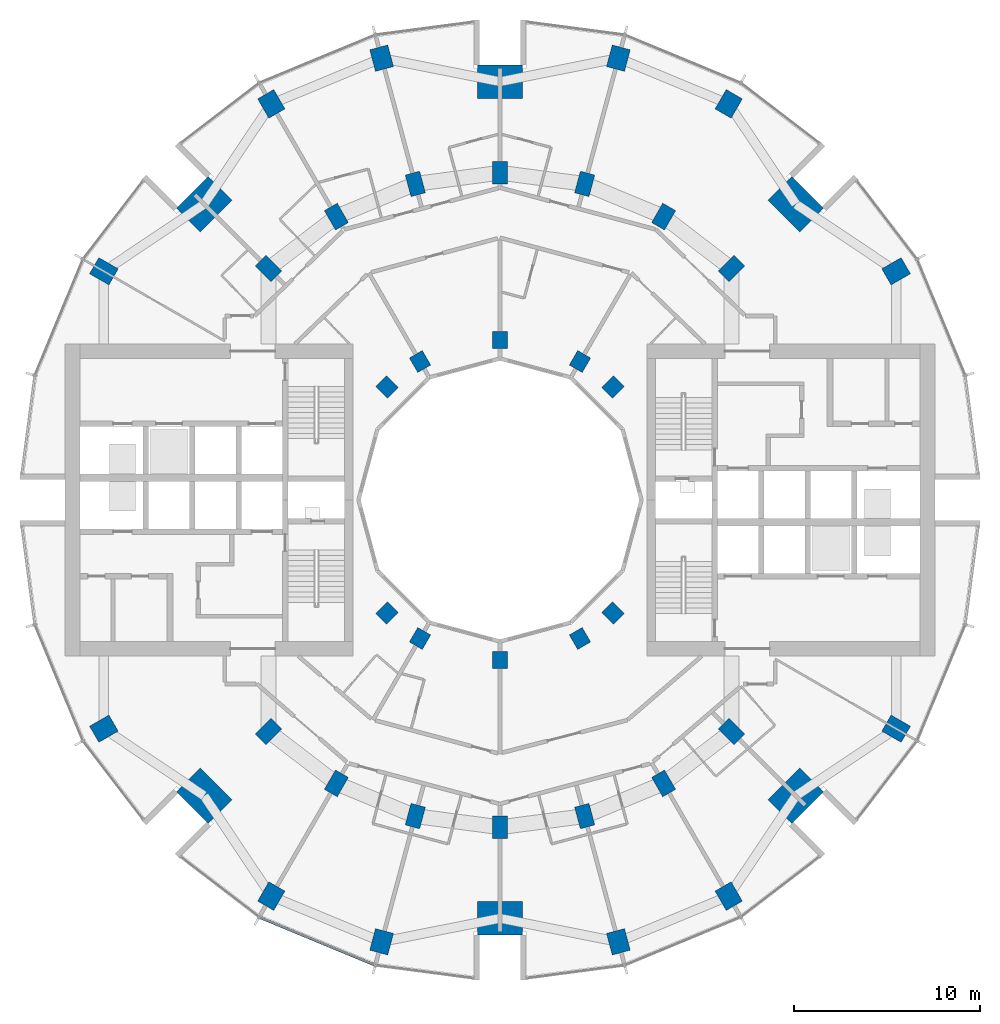
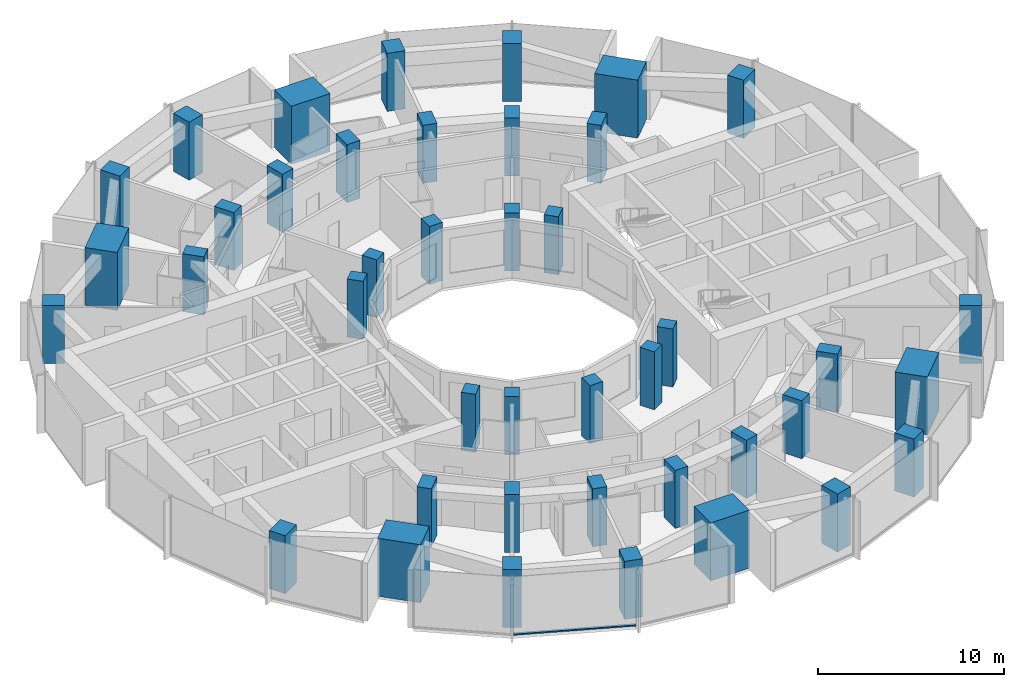
# One storey, part 1 of 15: 42 columns, 1 member, 1 element without a shape of its own.
"""IFC4 building model written with IfcOpenShell, lengths in metres."""

from ifc_helpers import new_model, si_unit, direction, frame, origin, origin_2d, place, context, subcontext, project, spatial, rectangle, extrude, material, layer, layer_set, material_profile, profile_set, type_object, element, aggregate, save


model = new_model("IFC4")

# Units and contexts
model_context = context("Model", 3, precision=1e-05, world=origin(), true_north=direction((0.0, 1.0)))
body_context = subcontext(model_context, "Body", "Model", "MODEL_VIEW")
ifc_project = project(units=[si_unit("LENGTHUNIT", "METRE"), si_unit("AREAUNIT", "SQUARE_METRE"), si_unit("VOLUMEUNIT", "CUBIC_METRE"), si_unit("PLANEANGLEUNIT", "RADIAN"), si_unit("MASSUNIT", "GRAM", prefix="KILO")], contexts=[model_context])

# Site, building, storey
site_placement = place(None, origin())
site = spatial("IfcSite", under=ifc_project, at=site_placement, CompositionType="ELEMENT")
building_placement = place(site_placement, origin())
building = spatial("IfcBuilding", under=site, at=building_placement, Name="Torre Brocal", CompositionType="ELEMENT")
storey_placement = place(building_placement, frame((0.0, 0.0, 66.800048828125)))
storey = spatial("IfcBuildingStorey", under=building, at=storey_placement, Name="L15", CompositionType="ELEMENT", Elevation=66.800048828125)

# Columns
ifc_material_1 = material(Name="Concrete C80", Category="concrete")
ifc_material_profile_1 = material_profile(ifc_material_1, rectangle(XDim=1.199951171875, YDim=1.0, at=origin_2d()), Name="RC 1200X1000")
ifc_profile_set_1 = profile_set([ifc_material_profile_1], Name="Concrete C80")
column_type_1 = type_object("IfcColumnType", Name="RC COLUMN 1200X1000 C80", PredefinedType="COLUMN", material=ifc_profile_set_1)
for number, where, z_axis, x_axis, name in (
    (1, (101.30419921875, 87.300048828125, 0.0), (0.0, 0.0, 1.0), (0.866025403784, 0.5, 0.0), "Column C-O02"),
    (2, (92.300048828125, 96.30419921875, 0.0), (0.0, 0.0, 1.0), (0.5, 0.866025403784, 0.0), "Column C-O04"),
    (3, (86.366943359375, 98.76171875, 0.0), (0.0, 0.0, 1.0), (0.258819045103, 0.965925826289, 0.0), "Column C-O05"),
    (4, (73.633056640625, 98.76171875, 0.0), (0.0, 0.0, 1.0), (-0.258819045103, 0.965925826289, 0.0), "Column C-O07"),
    (5, (67.699951171875, 96.30419921875, 0.0), (0.0, 0.0, 1.0), (-0.5, 0.866025403784, 0.0), "Column C-O08"),
    (6, (58.69580078125, 87.300048828125, 0.0), (0.0, 0.0, 1.0), (-0.866025403784, 0.5, 0.0), "Column C-O10"),
    (7, (58.69580078125, 62.699951171875, 0.0), (0.0, 0.0, 1.0), (-0.866025403784, -0.5, 0.0), "Column C-O14"),
    (8, (67.699951171875, 53.69580078125, 0.0), (0.0, 0.0, 1.0), (-0.5, -0.866025403784, 0.0), "Column C-O16"),
    (9, (73.633056640625, 51.23828125, 0.0), (0.0, 0.0, 1.0), (-0.258819045103, -0.965925826289, 0.0), "Column C-O17"),
    (10, (86.366943359375, 51.23828125, 0.0), (0.0, 0.0, 1.0), (0.258819045103, -0.965925826289, 0.0), "Column C-O19"),
    (11, (92.300048828125, 53.69580078125, 0.0), (0.0, 0.0, 1.0), (0.5, -0.866025403784, 0.0), "Column C-O20"),
    (12, (101.30419921875, 62.699951171875, 0.0), (0.0, 0.0, 1.0), (0.866025403784, -0.5, 0.0), "Column C-O22"),
):
    element("IfcColumn", number, at=place(storey_placement, frame(where, z_axis=z_axis, x_axis=x_axis)), inside=storey, type_object=column_type_1, Name=name, PredefinedType="COLUMN", context=body_context, shape_type="SweptSolid", body=[
        extrude(rectangle(XDim=1.199951171875, YDim=1.0, at=origin_2d()), origin(), (0.0, 0.0, 1.0), 3.800048828125),
    ])
ifc_material_2 = material(Name="Concrete C80", Category="concrete")
ifc_material_profile_2 = material_profile(ifc_material_2, rectangle(XDim=1.199951171875, YDim=0.800048828125, at=origin_2d()), Name="RC 1200X800")
ifc_profile_set_2 = profile_set([ifc_material_profile_2], Name="Concrete C80")
column_type_2 = type_object("IfcColumnType", Name="RC COLUMN 1200X800 C80", PredefinedType="COLUMN", material=ifc_profile_set_2)
for number, where, z_axis, x_axis, name in (
    (13, (92.445068359375, 87.445068359375, 0.0), (0.0, 0.0, 1.0), (0.707106781187, 0.707106781187, 0.0), "Column C-M03"),
    (14, (88.800048828125, 90.241943359375, 0.0), (0.0, 0.0, 1.0), (0.5, 0.866025403784, 0.0), "Column C-M04"),
    (15, (84.55517578125, 92.000244140625, 0.0), (0.0, 0.0, 1.0), (0.258819045103, 0.965925826289, 0.0), "Column C-M05"),
    (16, (80.0, 92.60009765625, 0.0), (0.0, 0.0, 1.0), (0.0, 1.0, 0.0), "Column C-M06"),
    (17, (75.44482421875, 92.000244140625, 0.0), (0.0, 0.0, 1.0), (-0.258819045103, 0.965925826289, 0.0), "Column C-M07"),
    (18, (71.199951171875, 90.241943359375, 0.0), (0.0, 0.0, 1.0), (-0.5, 0.866025403784, 0.0), "Column C-M08"),
    (19, (67.554931640625, 87.445068359375, 0.0), (0.0, 0.0, 1.0), (-0.707106781187, 0.707106781187, 0.0), "Column C-M09"),
    (20, (67.554931640625, 62.554931640625, 0.0), (0.0, 0.0, 1.0), (-0.707106781187, -0.707106781187, 0.0), "Column C-M15"),
    (21, (71.199951171875, 59.758056640625, 0.0), (0.0, 0.0, 1.0), (-0.5, -0.866025403784, 0.0), "Column C-M16"),
    (22, (75.44482421875, 57.999755859375, 0.0), (0.0, 0.0, 1.0), (-0.258819045103, -0.965925826289, 0.0), "Column C-M17"),
    (23, (80.0, 57.39990234375, 0.0), (0.0, 0.0, 1.0), (0.0, -1.0, 0.0), "Column C-M18"),
    (24, (84.55517578125, 57.999755859375, 0.0), (0.0, 0.0, 1.0), (0.258819045103, -0.965925826289, 0.0), "Column C-M19"),
    (25, (88.800048828125, 59.758056640625, 0.0), (0.0, 0.0, 1.0), (0.5, -0.866025403784, 0.0), "Column C-M20"),
    (26, (92.445068359375, 62.554931640625, 0.0), (0.0, 0.0, 1.0), (0.707106781187, -0.707106781187, 0.0), "Column C-M21"),
):
    element("IfcColumn", number, at=place(storey_placement, frame(where, z_axis=z_axis, x_axis=x_axis)), inside=storey, type_object=column_type_2, Name=name, PredefinedType="COLUMN", context=body_context, shape_type="SweptSolid", body=[
        extrude(rectangle(XDim=1.199951171875, YDim=0.800048828125, at=origin_2d()), origin(), (0.0, 0.0, 1.0), 3.800048828125),
    ])
ifc_material_3 = material(Name="Concrete C80", Category="concrete")
ifc_material_profile_3 = material_profile(ifc_material_3, rectangle(XDim=1.800048828125, YDim=2.39990234375, at=origin_2d()), Name="RC 1800X2400")
ifc_profile_set_3 = profile_set([ifc_material_profile_3], Name="Concrete C80")
column_type_3 = type_object("IfcColumnType", Name="RC COLUMN 1800X2400 C80", PredefinedType="COLUMN", material=ifc_profile_set_3)
for number, where, z_axis, x_axis, name in (
    (27, (95.909912109375, 90.909912109375, 0.0), (0.0, 0.0, 1.0), (0.707106781187, 0.707106781187, 0.0), "Column MC-1"),
    (28, (80.0, 97.5, 0.0), (0.0, 0.0, 1.0), (0.0, 1.0, 0.0), "Column MC-2"),
    (29, (64.090087890625, 90.909912109375, 0.0), (0.0, 0.0, 1.0), (-0.707106781187, 0.707106781187, 0.0), "Column MC-3"),
    (30, (64.090087890625, 59.090087890625, 0.0), (0.0, 0.0, 1.0), (-0.707106781187, -0.707106781187, 0.0), "Column MC-5"),
    (31, (80.0, 52.5, 0.0), (0.0, 0.0, 1.0), (0.0, -1.0, 0.0), "Column MC-6"),
    (32, (95.909912109375, 59.090087890625, 0.0), (0.0, 0.0, 1.0), (0.707106781187, -0.707106781187, 0.0), "Column MC-7"),
):
    element("IfcColumn", number, at=place(storey_placement, frame(where, z_axis=z_axis, x_axis=x_axis)), inside=storey, type_object=column_type_3, Name=name, PredefinedType="COLUMN", context=body_context, shape_type="SweptSolid", body=[
        extrude(rectangle(XDim=1.800048828125, YDim=2.39990234375, at=origin_2d()), origin(), (0.0, 0.0, 1.0), 3.800048828125),
    ])
ifc_material_4 = material(Name="Concrete C80", Category="concrete")
ifc_material_profile_4 = material_profile(ifc_material_4, rectangle(XDim=0.89990234375, YDim=0.800048828125, at=origin_2d()), Name="RC 900X800")
ifc_profile_set_4 = profile_set([ifc_material_profile_4], Name="Concrete C80")
column_type_4 = type_object("IfcColumnType", Name="RC COLUMN 900X800 C80", PredefinedType="COLUMN", material=ifc_profile_set_4)
for number, where, z_axis, x_axis, name in (
    (33, (86.0810546875, 81.0810546875, 0.0), (0.0, 0.0, 1.0), (0.707106781187, 0.707106781187, 0.0), "Column C-I03"),
    (34, (84.300048828125, 82.44775390625, 0.0), (0.0, 0.0, 1.0), (0.5, 0.866025403784, 0.0), "Column C-I04"),
    (35, (80.0, 83.60009765625, 0.0), (0.0, 0.0, 1.0), (0.0, 1.0, 0.0), "Column C-I06"),
    (36, (75.699951171875, 82.44775390625, 0.0), (0.0, 0.0, 1.0), (-0.5, 0.866025403784, 0.0), "Column C-I08"),
    (37, (73.9189453125, 81.0810546875, 0.0), (0.0, 0.0, 1.0), (-0.707106781187, 0.707106781187, 0.0), "Column C-I09"),
    (38, (73.9189453125, 68.9189453125, 0.0), (0.0, 0.0, 1.0), (-0.707106781187, -0.707106781187, 0.0), "Column C-I15"),
    (39, (75.699951171875, 67.55224609375, 0.0), (0.0, 0.0, 1.0), (-0.5, -0.866025403784, 0.0), "Column C-I16"),
    (40, (80.0, 66.39990234375, 0.0), (0.0, 0.0, 1.0), (0.0, -1.0, 0.0), "Column C-I18"),
    (41, (84.300048828125, 67.55224609375, 0.0), (0.0, 0.0, 1.0), (0.5, -0.866025403784, 0.0), "Column C-I20"),
    (42, (86.0810546875, 68.9189453125, 0.0), (0.0, 0.0, 1.0), (0.707106781187, -0.707106781187, 0.0), "Column C-I21"),
):
    element("IfcColumn", number, at=place(storey_placement, frame(where, z_axis=z_axis, x_axis=x_axis)), inside=storey, type_object=column_type_4, Name=name, PredefinedType="COLUMN", context=body_context, shape_type="SweptSolid", body=[
        extrude(rectangle(XDim=0.89990234375, YDim=0.800048828125, at=origin_2d()), origin(), (0.0, 0.0, 1.0), 3.800048828125),
    ])

# Curtain wall, member
ifc_material_5 = material(Name="Aluminium and glass", Category="aluminium")
ifc_layer = layer(ifc_material_5, 0.199951171875)
ifc_layer_set = layer_set([ifc_layer], Name="Aluminium and glass")
curtain_wall_type = type_object("IfcCurtainWallType", Name="CW-1 CURTAIN WALL 3800 HIGH", PredefinedType="NOTDEFINED", material=ifc_layer_set)
curtain_wall_placement = place(storey_placement, origin())
curtain_wall = element("IfcCurtainWall", 43, at=curtain_wall_placement, inside=storey, type_object=curtain_wall_type, Name="CW-1 RUN 17", PredefinedType="NOTDEFINED")
ifc_material_6 = material(Name="Aluminium, dark anodised", Category="aluminium")
ifc_material_profile_5 = material_profile(ifc_material_6, rectangle(XDim=0.159912109375, YDim=0.080078125, at=origin_2d()), Name="CW-1 TRANSOM 160X80")
ifc_profile_set_5 = profile_set([ifc_material_profile_5], Name="Aluminium, dark anodised")
member_type = type_object("IfcMemberType", Name="CW-1 TRANSOM 160X80", PredefinedType="USERDEFINED", material=ifc_profile_set_5)
member_placement = place(storey_placement, frame((67.10595703125, 52.547607421875, 0.0400390625), z_axis=(0.923887344364, -0.38266457234, 0.0), x_axis=(0.38266457234, 0.923887344364, 0.0)))
member = element("IfcMember", 44, at=member_placement, type_object=member_type, Name="CW1-1 transom 1.1", ObjectType="TRANSOM", PredefinedType="USERDEFINED", context=body_context, shape_type="SweptSolid", body=[
    extrude(rectangle(XDim=0.159912109375, YDim=0.080078125, at=origin_2d()), origin(), (0.0, 0.0, 1.0), 6.640869140625),
])
aggregate(curtain_wall, [member])

save(model, "model.ifc")
